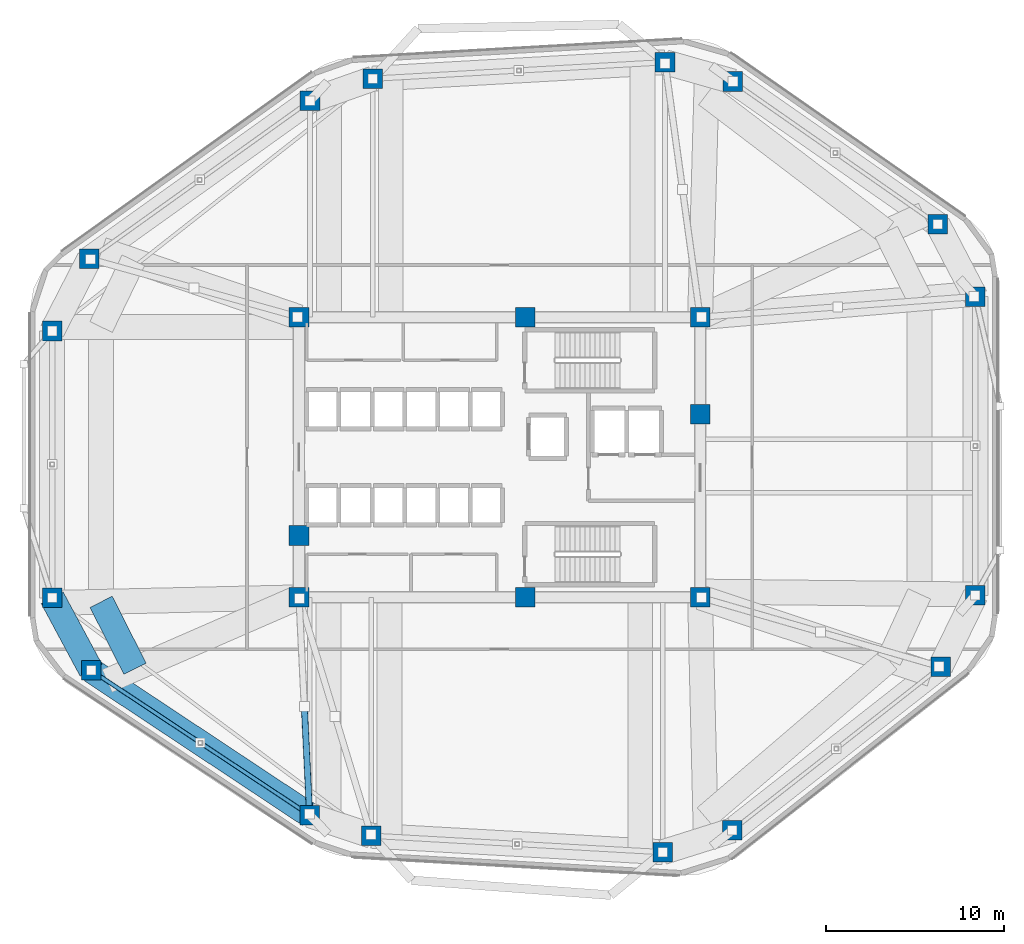
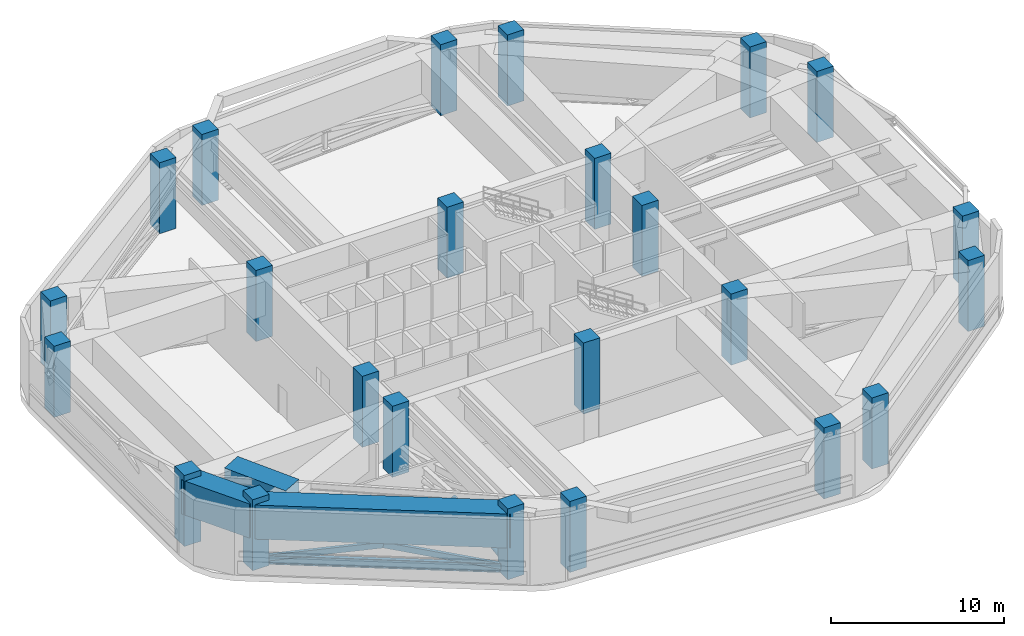
# One storey, part 1 of 12: 24 columns, 4 members, 3 beams.
"""IFC4 building model written with IfcOpenShell, lengths in metres."""

from ifc_helpers import new_model, si_unit, direction, frame, origin, origin_2d, place, context, subcontext, project, spatial, rectangle, hollow_rectangle, hollow_circle, i_section, extrude, material, material_profile, profile_set, type_object, element, save


model = new_model("IFC4")

# Units and contexts
model_context = context("Model", 3, precision=1e-05, world=origin(), true_north=direction((0.0, 1.0)))
body_context = subcontext(model_context, "Body", "Model", "MODEL_VIEW")
ifc_project = project(units=[si_unit("LENGTHUNIT", "METRE"), si_unit("AREAUNIT", "SQUARE_METRE"), si_unit("VOLUMEUNIT", "CUBIC_METRE"), si_unit("PLANEANGLEUNIT", "RADIAN"), si_unit("MASSUNIT", "GRAM", prefix="KILO")], contexts=[model_context])

# Site, building, storey
site_placement = place(None, origin())
site = spatial("IfcSite", under=ifc_project, at=site_placement, CompositionType="ELEMENT")
building_placement = place(site_placement, origin())
building = spatial("IfcBuilding", under=site, at=building_placement, Name="Zulverin Broadcast Headquarters", CompositionType="ELEMENT")
storey_placement = place(building_placement, frame((0.0, 0.0, 120.0)))
storey = spatial("IfcBuildingStorey", under=building, at=storey_placement, Name="L30", CompositionType="ELEMENT", Elevation=120.0)

# Columns
ifc_material_1 = material(Name="Concrete C60/75", Category="concrete")
ifc_material_profile_1 = material_profile(ifc_material_1, rectangle(XDim=1.10009765625, YDim=1.10009765625, at=origin_2d()), Name="Concrete C60/75", Category="concrete")
ifc_profile_set_1 = profile_set([ifc_material_profile_1], Name="Concrete C60/75")
column_type_1 = type_object("IfcColumnType", Name="COL-RC-1100", PredefinedType="COLUMN", material=ifc_profile_set_1)
for number, where, z_axis, x_axis, name in (
    (1, (29.79638671875, 3.922119140625, 0.0), (0.0, 0.0, 1.0), (1.0, 0.0, 0.0), "L30 Perimeter Column T01"),
    (2, (46.175048828125, 2.997802734375, 0.0), (0.0, 0.0, 1.0), (1.0, 0.0, 0.0), "L30 Perimeter Column T02"),
    (3, (50.08056640625, 4.22509765625, 0.0), (0.0, 0.0, 1.0), (1.0, 0.0, 0.0), "L30 Perimeter Column T03"),
    (4, (61.79296875, 13.416259765625, 0.0), (0.0, 0.0, 1.0), (1.0, 0.0, 0.0), "L30 Perimeter Column T04"),
    (5, (63.75, 17.439697265625, 0.0), (0.0, 0.0, 1.0), (1.0, 0.0, 0.0), "L30 Perimeter Column T05"),
    (6, (63.75, 34.235107421875, 0.0), (0.0, 0.0, 1.0), (1.0, 0.0, 0.0), "L30 Perimeter Column T06"),
    (7, (61.630126953125, 38.298583984375, 0.0), (0.0, 0.0, 1.0), (1.0, 0.0, 0.0), "L30 Perimeter Column T07"),
    (8, (50.121826171875, 46.325927734375, 0.0), (0.0, 0.0, 1.0), (1.0, 0.0, 0.0), "L30 Perimeter Column T08"),
    (9, (46.30224609375, 47.4091796875, 0.0), (0.0, 0.0, 1.0), (1.0, 0.0, 0.0), "L30 Perimeter Column T09"),
    (10, (29.873779296875, 46.482177734375, 0.0), (0.0, 0.0, 1.0), (1.0, 0.0, 0.0), "L30 Perimeter Column T10"),
    (11, (26.344482421875, 45.23828125, 0.0), (0.0, 0.0, 1.0), (1.0, 0.0, 0.0), "L30 Perimeter Column T11"),
    (12, (13.934326171875, 36.353759765625, 0.0), (0.0, 0.0, 1.0), (1.0, 0.0, 0.0), "L30 Perimeter Column T12"),
    (13, (11.85009765625, 32.298095703125, 0.0), (0.0, 0.0, 1.0), (1.0, 0.0, 0.0), "L30 Perimeter Column T13"),
    (14, (11.85009765625, 17.297607421875, 0.0), (0.0, 0.0, 1.0), (1.0, 0.0, 0.0), "L30 Perimeter Column T14"),
    (15, (14.0390625, 13.219970703125, 0.0), (0.0, 0.0, 1.0), (1.0, 0.0, 0.0), "L30 Perimeter Column T15"),
    (16, (26.3251953125, 5.075927734375, 0.0), (0.0, 0.0, 1.0), (1.0, 0.0, 0.0), "L30 Perimeter Column T16"),
):
    element("IfcColumn", number, at=place(storey_placement, frame(where, z_axis=z_axis, x_axis=x_axis)), inside=storey, type_object=column_type_1, Name=name, PredefinedType="COLUMN", context=body_context, shape_type="SweptSolid", body=[
        extrude(rectangle(XDim=1.10009765625, YDim=1.10009765625, at=origin_2d()), origin(), (0.0, 0.0, 1.0), 5.0),
    ])
ifc_material_profile_2 = material_profile(ifc_material_1, rectangle(XDim=1.10009765625, YDim=1.10009765625, at=origin_2d()), Name="Concrete C60/75", Category="concrete")
ifc_profile_set_2 = profile_set([ifc_material_profile_2], Name="Concrete C60/75")
column_type_2 = type_object("IfcColumnType", Name="PIL-RC-1100", PredefinedType="PILASTER", material=ifc_profile_set_2)
for number, where, z_axis, x_axis, name in (
    (17, (25.72509765625, 17.324951171875, 0.0), (0.0, 0.0, 1.0), (1.0, 0.0, 0.0), "L30 Core Pilaster K01"),
    (18, (38.449951171875, 17.324951171875, 0.0), (0.0, 0.0, 1.0), (1.0, 0.0, 0.0), "L30 Core Pilaster K02"),
    (19, (48.27490234375, 17.324951171875, 0.0), (0.0, 0.0, 1.0), (1.0, 0.0, 0.0), "L30 Core Pilaster K03"),
    (20, (48.27490234375, 27.6201171875, 0.0), (0.0, 0.0, 1.0), (1.0, 0.0, 0.0), "L30 Core Pilaster K04"),
    (21, (48.27490234375, 33.074951171875, 0.0), (0.0, 0.0, 1.0), (1.0, 0.0, 0.0), "L30 Core Pilaster K05"),
    (22, (38.449951171875, 33.074951171875, 0.0), (0.0, 0.0, 1.0), (1.0, 0.0, 0.0), "L30 Core Pilaster K06"),
    (23, (25.72509765625, 33.074951171875, 0.0), (0.0, 0.0, 1.0), (1.0, 0.0, 0.0), "L30 Core Pilaster K07"),
    (24, (25.72509765625, 20.800048828125, 0.0), (0.0, 0.0, 1.0), (1.0, 0.0, 0.0), "L30 Core Pilaster K08"),
):
    element("IfcColumn", number, at=place(storey_placement, frame(where, z_axis=z_axis, x_axis=x_axis)), inside=storey, type_object=column_type_2, Name=name, PredefinedType="PILASTER", context=body_context, shape_type="SweptSolid", body=[
        extrude(rectangle(XDim=1.10009765625, YDim=1.10009765625, at=origin_2d()), origin(), (0.0, 0.0, 1.0), 5.0),
    ])

# Beams
ifc_material_profile_3 = material_profile(ifc_material_1, rectangle(XDim=1.39990234375, YDim=2.39990234375, at=origin_2d()), Name="Concrete C60/75", Category="concrete")
ifc_profile_set_3 = profile_set([ifc_material_profile_3], Name="Concrete C60/75")
beam_type = type_object("IfcBeamType", Name="BM-TG-1400x2400", PredefinedType="USERDEFINED", material=ifc_profile_set_3)
beam_1_placement = place(storey_placement, frame((11.85009765625, 17.297607421875, 3.39990234375), z_axis=(0.472979536362, -0.881073412482, 0.0), x_axis=(0.881073412482, 0.472979536362, 0.0)))
element("IfcBeam", 25, at=beam_1_placement, inside=storey, type_object=beam_type, Name="L30 Perimeter Transfer Ring Girder SP-14", ObjectType="TRANSFER GIRDER", PredefinedType="USERDEFINED", context=body_context, shape_type="SweptSolid", body=[
    extrude(rectangle(XDim=1.39990234375, YDim=2.39990234375, at=origin_2d()), origin(), (0.0, 0.0, 1.0), 4.6279296875),
])
beam_2_placement = place(storey_placement, frame((14.0390625, 13.219970703125, 3.39990234375), z_axis=(0.833510030956, -0.552504324232, 0.0), x_axis=(0.552504324232, 0.833510030956, 0.0)))
element("IfcBeam", 26, at=beam_2_placement, inside=storey, type_object=beam_type, Name="L30 Perimeter Transfer Ring Girder SP-15", ObjectType="TRANSFER GIRDER", PredefinedType="USERDEFINED", context=body_context, shape_type="SweptSolid", body=[
    extrude(rectangle(XDim=1.39990234375, YDim=2.39990234375, at=origin_2d()), origin(), (0.0, 0.0, 1.0), 14.740234375),
])
beam_3_placement = place(storey_placement, frame((14.60009765625, 17.072021484375, 3.39990234375), z_axis=(0.451512947895, -0.892264567201, 0.0), x_axis=(0.892264567201, 0.451512947895, 0.0)))
element("IfcBeam", 27, at=beam_3_placement, inside=storey, type_object=beam_type, Name="L31 Step Transfer Ring Girder TGR-14", ObjectType="TRANSFER GIRDER", PredefinedType="USERDEFINED", context=body_context, shape_type="SweptSolid", body=[
    extrude(rectangle(XDim=1.39990234375, YDim=2.39990234375, at=origin_2d()), origin(), (0.0, 0.0, 1.0), 4.2197265625),
])

# Members
ifc_material_2 = material(Name="Structural steel S355JR", Category="steel")
ifc_material_profile_4 = material_profile(ifc_material_2, i_section(OverallWidth=0.230224609375, OverallDepth=0.6171875, WebThickness=0.01318359375, FlangeThickness=0.022216796875, at=origin_2d()), Name="Structural steel S355JR", Category="steel")
ifc_profile_set_4 = profile_set([ifc_material_profile_4], Name="Structural steel S355JR")
member_type_1 = type_object("IfcMemberType", Name="MBR-BLT-CHORD", PredefinedType="CHORD", material=ifc_profile_set_4)
member_1_placement = place(storey_placement, frame((14.0390625, 13.219970703125, 0.35009765625), z_axis=(0.833510030956, -0.552504324232, 0.0), x_axis=(0.552504324232, 0.833510030956, 0.0)))
element("IfcMember", 28, at=member_1_placement, inside=storey, type_object=member_type_1, Name="L30 Belt Truss Bottom Chord BC-08", PredefinedType="CHORD", context=body_context, shape_type="SweptSolid", body=[
    extrude(i_section(OverallWidth=0.230224609375, OverallDepth=0.6171875, WebThickness=0.01318359375, FlangeThickness=0.022216796875, at=origin_2d()), origin(), (0.0, 0.0, 1.0), 14.740234375),
])
ifc_material_profile_5 = material_profile(ifc_material_2, hollow_rectangle(XDim=0.199951171875, YDim=0.39990234375, WallThickness=0.01611328125, at=origin_2d()), Name="Structural steel S355JR", Category="steel")
ifc_profile_set_5 = profile_set([ifc_material_profile_5], Name="Structural steel S355JR")
member_type_2 = type_object("IfcMemberType", Name="MBR-BLT-DIAG2", PredefinedType="BRACE", material=ifc_profile_set_5)
for number, where, z_axis, x_axis, name in (
    (29, (14.0390625, 13.219970703125, 0.35009765625), (0.820264254131, -0.543724167183, 0.177568531605), (0.552504324232, 0.833510030956, 0.0), "L30 Belt Truss Diagonal Brace BD-08A"),
    (30, (26.3251953125, 5.075927734375, 0.35009765625), (-0.820264254131, 0.543724167183, 0.177568531605), (-0.552504324232, -0.833510030956, 0.0), "L30 Belt Truss Diagonal Brace BD-08B"),
):
    element("IfcMember", number, at=place(storey_placement, frame(where, z_axis=z_axis, x_axis=x_axis)), inside=storey, type_object=member_type_2, Name=name, PredefinedType="BRACE", context=body_context, shape_type="SweptSolid", body=[
        extrude(hollow_rectangle(XDim=0.199951171875, YDim=0.39990234375, WallThickness=0.01611328125, at=origin_2d()), origin(), (0.0, 0.0, 1.0), 7.489013671875),
    ])
ifc_material_3 = material(Name="Structural steel S460M", Category="steel")
ifc_material_profile_6 = material_profile(ifc_material_3, hollow_circle(Radius=0.177734375, WallThickness=0.01611328125, at=origin_2d()), Name="Structural steel S460M", Category="steel")
ifc_profile_set_6 = profile_set([ifc_material_profile_6], Name="Structural steel S460M")
member_type_3 = type_object("IfcMemberType", Name="MBR-OUT-DIAG2", PredefinedType="BRACE", material=ifc_profile_set_6)
member_2_placement = place(storey_placement, frame((26.3212890625, 5.15576171875, 0.35009765625), z_axis=(-0.047793357959, 0.97552823553, 0.214616999836), x_axis=(-0.998802034101, -0.048933594546, 0.0)))
element("IfcMember", 31, at=member_2_placement, inside=storey, type_object=member_type_3, Name="L30 Outrigger Truss Diagonal Brace OD-06B", PredefinedType="BRACE", context=body_context, shape_type="SweptSolid", body=[
    extrude(hollow_circle(Radius=0.177734375, WallThickness=0.01611328125, at=origin_2d()), origin(), (0.0, 0.0, 1.0), 6.1962890625),
])

save(model, "model.ifc")
